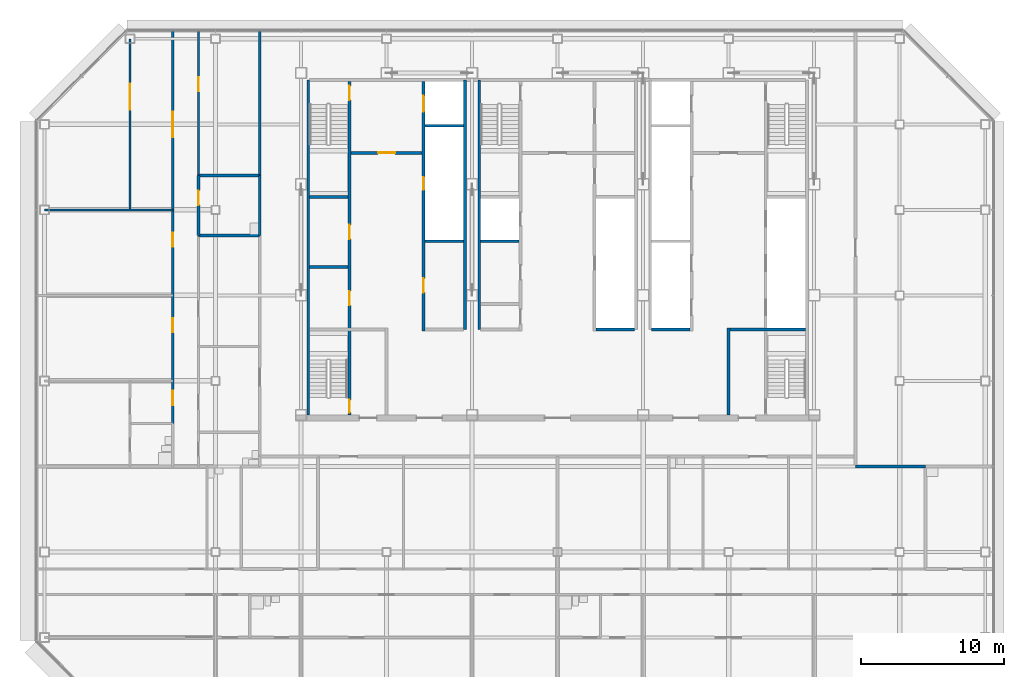
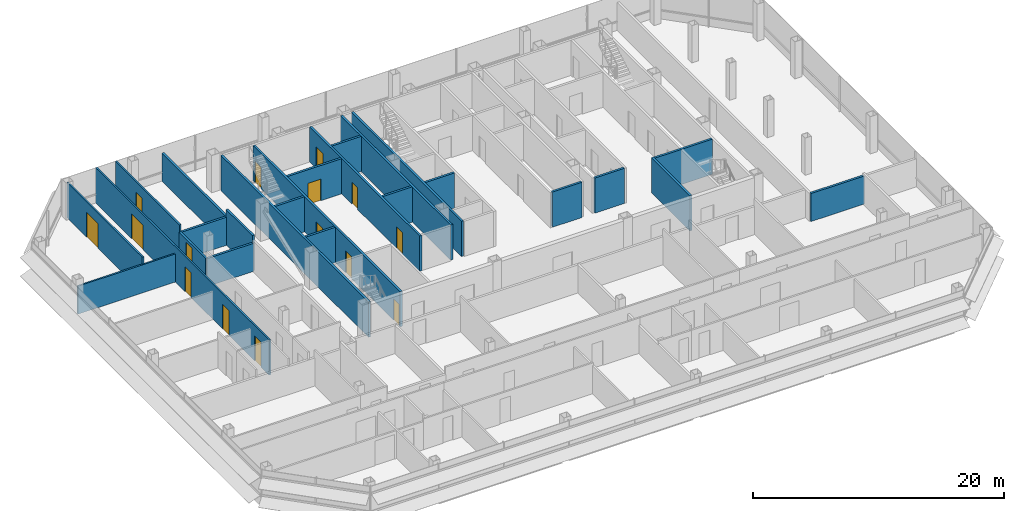
# One storey, part 22 of 26: 25 walls, 15 doors, 15 openings.
"""IFC4 building model written with IfcOpenShell, lengths in metres."""

from ifc_helpers import new_model, si_unit, direction, frame, frame_2d, origin, place, context, subcontext, project, spatial, rectangle, extrude, material, layer, layer_set, type_object, element, fill, save


model = new_model("IFC4")

# Units and contexts
model_context = context("Model", 3, precision=1e-05, world=origin(), true_north=direction((0.0, 1.0)))
body_context = subcontext(model_context, "Body", "Model", "MODEL_VIEW")
ifc_project = project(units=[si_unit("LENGTHUNIT", "METRE"), si_unit("AREAUNIT", "SQUARE_METRE"), si_unit("VOLUMEUNIT", "CUBIC_METRE"), si_unit("PLANEANGLEUNIT", "RADIAN"), si_unit("MASSUNIT", "GRAM", prefix="KILO")], contexts=[model_context])

# Site, building, storey
site_placement = place(None, origin())
site = spatial("IfcSite", under=ifc_project, at=site_placement, CompositionType="ELEMENT")
building_placement = place(site_placement, origin())
building = spatial("IfcBuilding", under=site, at=building_placement, Name="Sorahane Residences", CompositionType="ELEMENT")
storey_placement = place(building_placement, frame((0.0, 0.0, 222.60009765625)))
storey = spatial("IfcBuildingStorey", under=building, at=storey_placement, Name="L52", CompositionType="ELEMENT", Elevation=222.60009765625)

# Walls
ifc_material_1 = material(Name="Concrete C30", Category="concrete")
ifc_layer_1 = layer(ifc_material_1, 0.199951171875)
ifc_layer_set_1 = layer_set([ifc_layer_1], Name="Core face wall 200 EI 180")
wall_type_1 = type_object("IfcWallType", Name="Core face wall 200 EI 180", PredefinedType="SOLIDWALL", material=ifc_layer_set_1)
wall_1_placement = place(storey_placement, frame((6.5, 21.60009765625, 0.0), z_axis=(0.0, 0.0, 1.0), x_axis=(0.0, 1.0, 0.0)))
element("IfcWall", 1, at=wall_1_placement, inside=storey, type_object=wall_type_1, Name="L52 core face wall", PredefinedType="SOLIDWALL", context=body_context, shape_type="SweptSolid", body=[
    extrude(rectangle(XDim=23.5, YDim=0.199951171875, at=frame_2d((11.75, 0.0))), origin(), (0.0, 0.0, 1.0), 3.419921875),
])
for number, where, z_axis, x_axis, name in (
    (2, (17.5, 27.60009765625, 0.0), (0.0, 0.0, 1.0), (0.0, 1.0, 0.0), "L52 core face wall"),
    (3, (18.5, 27.60009765625, 0.0), (0.0, 0.0, 1.0), (0.0, 1.0, 0.0), "L52 core face wall"),
):
    element("IfcWall", number, at=place(storey_placement, frame(where, z_axis=z_axis, x_axis=x_axis)), inside=storey, type_object=wall_type_1, Name=name, PredefinedType="SOLIDWALL", context=body_context, shape_type="SweptSolid", body=[
        extrude(rectangle(XDim=17.5, YDim=0.199951171875, at=frame_2d((8.75, 0.0))), origin(), (0.0, 0.0, 1.0), 3.419921875),
    ])
ifc_material_2 = material(Name="Concrete blockwork C20 wall", Category="masonry")
ifc_layer_2 = layer(ifc_material_2, 0.199951171875)
ifc_layer_set_2 = layer_set([ifc_layer_2], Name="Corridor wall 200 EI 120")
wall_type_2 = type_object("IfcWallType", Name="Corridor wall 200 EI 120", PredefinedType="SOLIDWALL", material=ifc_layer_set_2)
wall_2_placement = place(storey_placement, frame((3.10009765625, 38.39990234375, 0.0), z_axis=(0.0, 0.0, 1.0), x_axis=(0.0, 1.0, 0.0)))
element("IfcWall", 4, at=wall_2_placement, inside=storey, type_object=wall_type_2, Name="L52 corridor wall", PredefinedType="SOLIDWALL", context=body_context, shape_type="SweptSolid", body=[
    extrude(rectangle(XDim=10.2001953125, YDim=0.199951171875, at=frame_2d((5.10009765625, 0.0))), origin(), (0.0, 0.0, 1.0), 2.719970703125),
])
wall_3_placement = place(storey_placement, frame((44.89990234375, 18.0, 0.0), z_axis=(0.0, 0.0, 1.0), x_axis=(1.0, 0.0, 0.0)))
element("IfcWall", 5, at=wall_3_placement, inside=storey, type_object=wall_type_2, Name="L52 corridor wall", PredefinedType="SOLIDWALL", context=body_context, shape_type="SweptSolid", body=[
    extrude(rectangle(XDim=4.900146484375, YDim=0.199951171875, at=frame_2d((2.4501953125, 0.0))), origin(), (0.0, 0.0, 1.0), 2.719970703125),
])
ifc_material_3 = material(Name="Concrete C30", Category="concrete")
ifc_layer_3 = layer(ifc_material_3, 0.199951171875)
ifc_layer_set_3 = layer_set([ifc_layer_3], Name="Front room wall 200 EI 120")
wall_type_3 = type_object("IfcWallType", Name="Front room wall 200 EI 120", PredefinedType="PARTITIONING", material=ifc_layer_set_3)
wall_4_placement = place(storey_placement, frame((36.0, 21.60009765625, 0.0), z_axis=(0.0, 0.0, 1.0), x_axis=(0.0, 1.0, 0.0)))
element("IfcWall", 6, at=wall_4_placement, inside=storey, type_object=wall_type_3, Name="L52 front room wall", PredefinedType="PARTITIONING", context=body_context, shape_type="SweptSolid", body=[
    extrude(rectangle(XDim=6.099853515625, YDim=0.199951171875, at=frame_2d((3.0498046875, 0.0))), origin(), (0.0, 0.0, 1.0), 3.419921875),
])

# Wall, opening, door
wall_5_placement = place(storey_placement, frame((9.5, 40.0, 0.0), z_axis=(0.0, 0.0, 1.0), x_axis=(1.0, 0.0, 0.0)))
wall_5 = element("IfcWall", 7, at=wall_5_placement, inside=storey, type_object=wall_type_3, Name="L52 front room wall", PredefinedType="PARTITIONING", context=body_context, shape_type="SweptSolid", body=[
    extrude(rectangle(XDim=5.0, YDim=0.199951171875, at=frame_2d((2.5, 0.0))), origin(), (0.0, 0.0, 1.0), 3.419921875),
])
opening_1_placement = place(wall_5_placement, frame((1.89990234375, 0.0, 0.0)))
opening_1 = element("IfcOpeningElement", 8, at=opening_1_placement, cuts=wall_5, Name="Opening L52-C06", PredefinedType="OPENING", context=body_context, shape_type="SweptSolid", body=[
    extrude(rectangle(XDim=1.199951171875, YDim=2.10009765625, at=frame_2d((0.60009765625, 1.050048828125))), frame((0.0, 0.10986328125, 0.0), z_axis=(0.0, -1.0, 0.0), x_axis=(1.0, 0.0, 0.0)), (0.0, 0.0, 1.0), 0.219970703125),
])
ifc_material_4 = material(Name="Steel", Category="steel")
door_type_1 = type_object("IfcDoorType", Name="Front room door 1200x2100 FD120", OperationType="NOTDEFINED", PredefinedType="DOOR", material=ifc_material_4)
door_1_placement = place(opening_1_placement, frame((1.199951171875, 0.0, 0.0), z_axis=(0.0, 0.0, 1.0), x_axis=(-1.0, 0.0, 0.0)))
door_1 = element("IfcDoor", 9, at=door_1_placement, inside=storey, type_object=door_type_1, Name="Front room door Firefighting lobby FF1 front room L52", OperationType="DOUBLE_DOOR_SINGLE_SWING", OverallHeight=2.10009765625, OverallWidth=1.199951171875, PredefinedType="DOOR", context=body_context, shape_type="SweptSolid", body=[
    extrude(rectangle(XDim=1.199951171875, YDim=2.10009765625, at=frame_2d((0.60009765625, 1.050048828125))), frame((0.0, 0.02490234375, 0.0), z_axis=(0.0, -1.0, 0.0), x_axis=(1.0, 0.0, 0.0)), (0.0, 0.0, 1.0), 0.050048828125),
])
fill(opening_1, door_1)

ifc_material_5 = material(Name="Concrete blockwork C20 wall", Category="masonry")
ifc_layer_4 = layer(ifc_material_5, 0.199951171875)
ifc_layer_set_4 = layer_set([ifc_layer_4], Name="Kitchen wall 200 EI 180")
wall_type_4 = type_object("IfcWallType", Name="Kitchen wall 200 EI 180", PredefinedType="SOLIDWALL", material=ifc_layer_set_4)
wall_6_placement = place(storey_placement, frame((-1.199951171875, 34.199951171875, 0.0), z_axis=(0.0, 0.0, 1.0), x_axis=(0.0, 1.0, 0.0)))
wall_6 = element("IfcWall", 10, at=wall_6_placement, inside=storey, type_object=wall_type_4, Name="L52 kitchen wall", PredefinedType="SOLIDWALL", context=body_context, shape_type="SweptSolid", body=[
    extrude(rectangle(XDim=4.199951171875, YDim=0.199951171875, at=frame_2d((2.10009765625, 0.0))), origin(), (0.0, 0.0, 1.0), 2.719970703125),
])
opening_2_placement = place(wall_6_placement, frame((2.139892578125, 0.0, 0.0)))
opening_2 = element("IfcOpeningElement", 11, at=opening_2_placement, cuts=wall_6, Name="Opening L52-29", PredefinedType="OPENING", context=body_context, shape_type="SweptSolid", body=[
    extrude(rectangle(XDim=1.0, YDim=2.39990234375, at=frame_2d((0.5, 1.199951171875))), frame((0.0, 0.10986328125, 0.0), z_axis=(0.0, -1.0, 0.0), x_axis=(1.0, 0.0, 0.0)), (0.0, 0.0, 1.0), 0.219970703125),
])
ifc_material_6 = material(Name="Steel", Category="steel")
door_type_2 = type_object("IfcDoorType", Name="Kitchen door 1000x2400 FD120", OperationType="NOTDEFINED", PredefinedType="DOOR", material=ifc_material_6)
door_2_placement = place(opening_2_placement, frame((1.0, 0.0, 0.0), z_axis=(0.0, 0.0, 1.0), x_axis=(-1.0, 0.0, 0.0)))
door_2 = element("IfcDoor", 12, at=door_2_placement, inside=storey, type_object=door_type_2, Name="Kitchen door L52-29", OperationType="SINGLE_SWING_LEFT", OverallHeight=2.39990234375, OverallWidth=1.0, PredefinedType="DOOR", context=body_context, shape_type="SweptSolid", body=[
    extrude(rectangle(XDim=1.0, YDim=2.39990234375, at=frame_2d((0.5, 1.199951171875))), frame((0.0, 0.02490234375, 0.0), z_axis=(0.0, -1.0, 0.0), x_axis=(1.0, 0.0, 0.0)), (0.0, 0.0, 1.0), 0.050048828125),
])
fill(opening_2, door_2)

# Walls
wall_7_placement = place(storey_placement, frame((3.10009765625, 34.199951171875, 0.0), z_axis=(0.0, 0.0, 1.0), x_axis=(0.0, 1.0, 0.0)))
element("IfcWall", 13, at=wall_7_placement, inside=storey, type_object=wall_type_4, Name="L52 kitchen wall", PredefinedType="SOLIDWALL", context=body_context, shape_type="SweptSolid", body=[
    extrude(rectangle(XDim=4.199951171875, YDim=0.199951171875, at=frame_2d((2.10009765625, 0.0))), origin(), (0.0, 0.0, 1.0), 3.419921875),
])
for number, where, z_axis, x_axis, name in (
    (14, (-1.199951171875, 34.199951171875, 0.0), (0.0, 0.0, 1.0), (1.0, 0.0, 0.0), "L52 kitchen wall"),
    (15, (-1.199951171875, 38.39990234375, 0.0), (0.0, 0.0, 1.0), (1.0, 0.0, 0.0), "L52 kitchen wall"),
):
    element("IfcWall", number, at=place(storey_placement, frame(where, z_axis=z_axis, x_axis=x_axis)), inside=storey, type_object=wall_type_4, Name=name, PredefinedType="SOLIDWALL", context=body_context, shape_type="SweptSolid", body=[
        extrude(rectangle(XDim=4.300048828125, YDim=0.199951171875, at=frame_2d((2.14990234375, 0.0))), origin(), (0.0, 0.0, 1.0), 2.719970703125),
    ])

# Wall, openings, doors
ifc_material_7 = material(Name="Concrete C30", Category="concrete")
ifc_layer_5 = layer(ifc_material_7, 0.199951171875)
ifc_layer_set_5 = layer_set([ifc_layer_5], Name="Lift shaft wall 200 EI 120")
wall_type_5 = type_object("IfcWallType", Name="Lift shaft wall 200 EI 120", PredefinedType="SOLIDWALL", material=ifc_layer_set_5)
wall_8_placement = place(storey_placement, frame((14.60009765625, 27.5, 0.0), z_axis=(0.0, 0.0, 1.0), x_axis=(0.0, 1.0, 0.0)))
wall_8 = element("IfcWall", 16, at=wall_8_placement, inside=storey, type_object=wall_type_5, Name="L52 lift shaft wall", PredefinedType="SOLIDWALL", context=body_context, shape_type="SweptSolid", body=[
    extrude(rectangle(XDim=17.5, YDim=0.199951171875, at=frame_2d((8.75, 0.0))), origin(), (0.0, 0.0, 1.0), 3.419921875),
])
opening_3_placement = place(wall_8_placement, frame((15.39990234375, 0.0, 0.0)))
opening_3 = element("IfcOpeningElement", 17, at=opening_3_placement, cuts=wall_8, Name="Opening L52-C15", PredefinedType="OPENING", context=body_context, shape_type="SweptSolid", body=[
    extrude(rectangle(XDim=1.10009765625, YDim=2.10009765625, at=frame_2d((0.550048828125, 1.050048828125))), frame((0.0, 0.10986328125, 0.0), z_axis=(0.0, -1.0, 0.0), x_axis=(1.0, 0.0, 0.0)), (0.0, 0.0, 1.0), 0.219970703125),
])
opening_4_placement = place(wall_8_placement, frame((2.699951171875, 0.0, 0.0)))
opening_4 = element("IfcOpeningElement", 18, at=opening_4_placement, cuts=wall_8, Name="Opening L52-C18", PredefinedType="OPENING", context=body_context, shape_type="SweptSolid", body=[
    extrude(rectangle(XDim=1.0, YDim=2.10009765625, at=frame_2d((0.5, 1.050048828125))), frame((0.0, 0.10986328125, 0.0), z_axis=(0.0, -1.0, 0.0), x_axis=(1.0, 0.0, 0.0)), (0.0, 0.0, 1.0), 0.219970703125),
])
opening_5_placement = place(wall_8_placement, frame((9.89990234375, 0.0, 0.0)))
opening_5 = element("IfcOpeningElement", 19, at=opening_5_placement, cuts=wall_8, Name="Opening L52-C26", PredefinedType="OPENING", context=body_context, shape_type="SweptSolid", body=[
    extrude(rectangle(XDim=0.89990234375, YDim=2.10009765625, at=frame_2d((0.449951171875, 1.050048828125))), frame((0.0, 0.10986328125, 0.0), z_axis=(0.0, -1.0, 0.0), x_axis=(1.0, 0.0, 0.0)), (0.0, 0.0, 1.0), 0.219970703125),
])
ifc_material_8 = material(Name="Aluminium and stainless steel", Category="steel")
door_type_3 = type_object("IfcDoorType", Name="Lift landing door 1100x2100 E 60", OperationType="NOTDEFINED", PredefinedType="DOOR", material=ifc_material_8)
door_3_placement = place(opening_3_placement, origin())
door_3 = element("IfcDoor", 20, at=door_3_placement, inside=storey, type_object=door_type_3, Name="Lift landing door FF1 L52", OperationType="DOUBLE_DOOR_SLIDING", OverallHeight=2.10009765625, OverallWidth=1.10009765625, PredefinedType="DOOR", context=body_context, shape_type="SweptSolid", body=[
    extrude(rectangle(XDim=1.10009765625, YDim=2.10009765625, at=frame_2d((0.550048828125, 1.050048828125))), frame((0.0, 0.02490234375, 0.0), z_axis=(0.0, -1.0, 0.0), x_axis=(1.0, 0.0, 0.0)), (0.0, 0.0, 1.0), 0.050048828125),
])
fill(opening_3, door_3)
ifc_material_9 = material(Name="Steel", Category="steel")
door_type_4 = type_object("IfcDoorType", Name="Riser door 900x2100 FD120", OperationType="NOTDEFINED", PredefinedType="DOOR", material=ifc_material_9)
door_4_placement = place(opening_5_placement, origin())
door_4 = element("IfcDoor", 21, at=door_4_placement, inside=storey, type_object=door_type_4, Name="Riser door R1 L52", OperationType="SINGLE_SWING_LEFT", OverallHeight=2.10009765625, OverallWidth=0.89990234375, PredefinedType="DOOR", context=body_context, shape_type="SweptSolid", body=[
    extrude(rectangle(XDim=0.89990234375, YDim=2.10009765625, at=frame_2d((0.449951171875, 1.050048828125))), frame((0.0, 0.02490234375, 0.0), z_axis=(0.0, -1.0, 0.0), x_axis=(1.0, 0.0, 0.0)), (0.0, 0.0, 1.0), 0.050048828125),
])
fill(opening_5, door_4)
ifc_material_10 = material(Name="Steel", Category="steel")
door_type_5 = type_object("IfcDoorType", Name="Service room door 1000x2100 FD60", OperationType="NOTDEFINED", PredefinedType="DOOR", material=ifc_material_10)
door_5_placement = place(opening_4_placement, frame((1.0, 0.0, 0.0), z_axis=(0.0, 0.0, 1.0), x_axis=(-1.0, 0.0, 0.0)))
door_5 = element("IfcDoor", 22, at=door_5_placement, inside=storey, type_object=door_type_5, Name="Service room door Library L52", OperationType="SINGLE_SWING_RIGHT", OverallHeight=2.10009765625, OverallWidth=1.0, PredefinedType="DOOR", context=body_context, shape_type="SweptSolid", body=[
    extrude(rectangle(XDim=1.0, YDim=2.10009765625, at=frame_2d((0.5, 1.050048828125))), frame((0.0, 0.02490234375, 0.0), z_axis=(0.0, -1.0, 0.0), x_axis=(1.0, 0.0, 0.0)), (0.0, 0.0, 1.0), 0.050048828125),
])
fill(opening_4, door_5)

# Walls
for number, where, z_axis, x_axis, name in (
    (23, (30.60009765625, 27.60009765625, 0.0), (0.0, 0.0, 1.0), (1.0, 0.0, 0.0), "L52 lift shaft wall"),
    (24, (14.699951171875, 41.89990234375, 0.0), (0.0, 0.0, 1.0), (1.0, 0.0, 0.0), "L52 lift shaft wall"),
):
    element("IfcWall", number, at=place(storey_placement, frame(where, z_axis=z_axis, x_axis=x_axis)), inside=storey, type_object=wall_type_5, Name=name, PredefinedType="SOLIDWALL", context=body_context, shape_type="SweptSolid", body=[
        extrude(rectangle(XDim=2.699951171875, YDim=0.199951171875, at=frame_2d((1.35009765625, 0.0))), origin(), (0.0, 0.0, 1.0), 3.419921875),
    ])

# Wall, opening, door
ifc_material_11 = material(Name="Gypsum board partition on steel studs", Category="steel")
ifc_layer_6 = layer(ifc_material_11, 0.14990234375)
ifc_layer_set_6 = layer_set([ifc_layer_6], Name="Partition 150 EI 90")
wall_type_6 = type_object("IfcWallType", Name="Partition 150 EI 90", PredefinedType="PARTITIONING", material=ifc_layer_set_6)
wall_9_placement = place(storey_placement, frame((-1.199951171875, 38.39990234375, 0.0), z_axis=(0.0, 0.0, 1.0), x_axis=(0.0, 1.0, 0.0)))
wall_9 = element("IfcWall", 25, at=wall_9_placement, inside=storey, type_object=wall_type_6, Name="L52 partition", PredefinedType="PARTITIONING", context=body_context, shape_type="SweptSolid", body=[
    extrude(rectangle(XDim=10.2001953125, YDim=0.14990234375, at=frame_2d((5.10009765625, 0.0))), origin(), (0.0, 0.0, 1.0), 3.419921875),
])
opening_6_placement = place(wall_9_placement, frame((5.919921875, 0.0, 0.0)))
opening_6 = element("IfcOpeningElement", 26, at=opening_6_placement, cuts=wall_9, Name="Opening L52-30", PredefinedType="OPENING", context=body_context, shape_type="SweptSolid", body=[
    extrude(rectangle(XDim=1.0, YDim=2.39990234375, at=frame_2d((0.5, 1.199951171875))), frame((0.0, 0.0849609375, 0.0), z_axis=(0.0, -1.0, 0.0), x_axis=(1.0, 0.0, 0.0)), (0.0, 0.0, 1.0), 0.169921875),
])
ifc_material_12 = material(Name="Timber veneered fire door", Category="wood")
door_type_6 = type_object("IfcDoorType", Name="Room door 1000x2400 FD30", OperationType="NOTDEFINED", PredefinedType="DOOR", material=ifc_material_12)
door_6_placement = place(opening_6_placement, frame((1.0, 0.0, 0.0), z_axis=(0.0, 0.0, 1.0), x_axis=(-1.0, 0.0, 0.0)))
door_6 = element("IfcDoor", 27, at=door_6_placement, inside=storey, type_object=door_type_6, Name="Room door L52-30", OperationType="SINGLE_SWING_LEFT", OverallHeight=2.39990234375, OverallWidth=1.0, PredefinedType="DOOR", context=body_context, shape_type="SweptSolid", body=[
    extrude(rectangle(XDim=1.0, YDim=2.39990234375, at=frame_2d((0.5, 1.199951171875))), frame((0.0, 0.02490234375, 0.0), z_axis=(0.0, -1.0, 0.0), x_axis=(1.0, 0.0, 0.0)), (0.0, 0.0, 1.0), 0.050048828125),
])
fill(opening_6, door_6)

# Wall, openings, doors
wall_10_placement = place(storey_placement, frame((-3.0, 21.0, 0.0), z_axis=(0.0, 0.0, 1.0), x_axis=(0.0, 1.0, 0.0)))
wall_10 = element("IfcWall", 28, at=wall_10_placement, inside=storey, type_object=wall_type_6, Name="L52 partition", PredefinedType="PARTITIONING", context=body_context, shape_type="SweptSolid", body=[
    extrude(rectangle(XDim=27.60009765625, YDim=0.14990234375, at=frame_2d((13.800048828125, 0.0))), origin(), (0.0, 0.0, 1.0), 3.419921875),
])
opening_7_placement = place(wall_10_placement, frame((1.300048828125, 0.0, 0.0)))
opening_7 = element("IfcOpeningElement", 29, at=opening_7_placement, cuts=wall_10, Name="Opening L52-31", PredefinedType="OPENING", context=body_context, shape_type="SweptSolid", body=[
    extrude(rectangle(XDim=1.0, YDim=2.39990234375, at=frame_2d((0.5, 1.199951171875))), frame((0.0, 0.0849609375, 0.0), z_axis=(0.0, -1.0, 0.0), x_axis=(1.0, 0.0, 0.0)), (0.0, 0.0, 1.0), 0.169921875),
])
opening_8_placement = place(wall_10_placement, frame((6.39990234375, 0.0, 0.0)))
opening_8 = element("IfcOpeningElement", 30, at=opening_8_placement, cuts=wall_10, Name="Opening L52-32", PredefinedType="OPENING", context=body_context, shape_type="SweptSolid", body=[
    extrude(rectangle(XDim=1.0, YDim=2.39990234375, at=frame_2d((0.5, 1.199951171875))), frame((0.0, 0.0849609375, 0.0), z_axis=(0.0, -1.0, 0.0), x_axis=(1.0, 0.0, 0.0)), (0.0, 0.0, 1.0), 0.169921875),
])
opening_9_placement = place(wall_10_placement, frame((12.39990234375, 0.0, 0.0)))
opening_9 = element("IfcOpeningElement", 31, at=opening_9_placement, cuts=wall_10, Name="Opening L52-33", PredefinedType="OPENING", context=body_context, shape_type="SweptSolid", body=[
    extrude(rectangle(XDim=1.0, YDim=2.39990234375, at=frame_2d((0.5, 1.199951171875))), frame((0.0, 0.0849609375, 0.0), z_axis=(0.0, -1.0, 0.0), x_axis=(1.0, 0.0, 0.0)), (0.0, 0.0, 1.0), 0.169921875),
])
opening_10_placement = place(wall_10_placement, frame((20.10009765625, 0.0, 0.0)))
opening_10 = element("IfcOpeningElement", 32, at=opening_10_placement, cuts=wall_10, Name="Opening L52-34", PredefinedType="OPENING", context=body_context, shape_type="SweptSolid", body=[
    extrude(rectangle(XDim=1.800048828125, YDim=2.39990234375, at=frame_2d((0.89990234375, 1.199951171875))), frame((0.0, 0.0849609375, 0.0), z_axis=(0.0, -1.0, 0.0), x_axis=(1.0, 0.0, 0.0)), (0.0, 0.0, 1.0), 0.169921875),
])
ifc_material_13 = material(Name="Timber veneered fire door", Category="wood")
door_type_7 = type_object("IfcDoorType", Name="Double door 1800x2400 FD30", OperationType="NOTDEFINED", PredefinedType="DOOR", material=ifc_material_13)
door_7_placement = place(opening_10_placement, origin())
door_7 = element("IfcDoor", 33, at=door_7_placement, inside=storey, type_object=door_type_7, Name="Double door L52-34", OperationType="SINGLE_SWING_RIGHT", OverallHeight=2.39990234375, OverallWidth=1.800048828125, PredefinedType="DOOR", context=body_context, shape_type="SweptSolid", body=[
    extrude(rectangle(XDim=1.800048828125, YDim=2.39990234375, at=frame_2d((0.89990234375, 1.199951171875))), frame((0.0, 0.02490234375, 0.0), z_axis=(0.0, -1.0, 0.0), x_axis=(1.0, 0.0, 0.0)), (0.0, 0.0, 1.0), 0.050048828125),
])
fill(opening_10, door_7)
door_8_placement = place(opening_7_placement, origin())
door_8 = element("IfcDoor", 34, at=door_8_placement, inside=storey, type_object=door_type_6, Name="Room door L52-31", OperationType="SINGLE_SWING_RIGHT", OverallHeight=2.39990234375, OverallWidth=1.0, PredefinedType="DOOR", context=body_context, shape_type="SweptSolid", body=[
    extrude(rectangle(XDim=1.0, YDim=2.39990234375, at=frame_2d((0.5, 1.199951171875))), frame((0.0, 0.02490234375, 0.0), z_axis=(0.0, -1.0, 0.0), x_axis=(1.0, 0.0, 0.0)), (0.0, 0.0, 1.0), 0.050048828125),
])
fill(opening_7, door_8)
door_9_placement = place(opening_8_placement, origin())
door_9 = element("IfcDoor", 35, at=door_9_placement, inside=storey, type_object=door_type_6, Name="Room door L52-32", OperationType="SINGLE_SWING_RIGHT", OverallHeight=2.39990234375, OverallWidth=1.0, PredefinedType="DOOR", context=body_context, shape_type="SweptSolid", body=[
    extrude(rectangle(XDim=1.0, YDim=2.39990234375, at=frame_2d((0.5, 1.199951171875))), frame((0.0, 0.02490234375, 0.0), z_axis=(0.0, -1.0, 0.0), x_axis=(1.0, 0.0, 0.0)), (0.0, 0.0, 1.0), 0.050048828125),
])
fill(opening_8, door_9)
door_10_placement = place(opening_9_placement, origin())
door_10 = element("IfcDoor", 36, at=door_10_placement, inside=storey, type_object=door_type_6, Name="Room door L52-33", OperationType="SINGLE_SWING_LEFT", OverallHeight=2.39990234375, OverallWidth=1.0, PredefinedType="DOOR", context=body_context, shape_type="SweptSolid", body=[
    extrude(rectangle(XDim=1.0, YDim=2.39990234375, at=frame_2d((0.5, 1.199951171875))), frame((0.0, 0.02490234375, 0.0), z_axis=(0.0, -1.0, 0.0), x_axis=(1.0, 0.0, 0.0)), (0.0, 0.0, 1.0), 0.050048828125),
])
fill(opening_9, door_10)

# Wall, opening, door
wall_11_placement = place(storey_placement, frame((-6.0, 36.0, 0.0), z_axis=(0.0, 0.0, 1.0), x_axis=(0.0, 1.0, 0.0)))
wall_11 = element("IfcWall", 37, at=wall_11_placement, inside=storey, type_object=wall_type_6, Name="L52 partition", PredefinedType="PARTITIONING", context=body_context, shape_type="SweptSolid", body=[
    extrude(rectangle(XDim=12.0, YDim=0.14990234375, at=frame_2d((6.0, 0.0))), origin(), (0.0, 0.0, 1.0), 3.419921875),
])
opening_11_placement = place(wall_11_placement, frame((7.0400390625, 0.0, 0.0)))
opening_11 = element("IfcOpeningElement", 38, at=opening_11_placement, cuts=wall_11, Name="Opening L52-37", PredefinedType="OPENING", context=body_context, shape_type="SweptSolid", body=[
    extrude(rectangle(XDim=1.800048828125, YDim=2.39990234375, at=frame_2d((0.89990234375, 1.199951171875))), frame((0.0, 0.0849609375, 0.0), z_axis=(0.0, -1.0, 0.0), x_axis=(1.0, 0.0, 0.0)), (0.0, 0.0, 1.0), 0.169921875),
])
door_11_placement = place(opening_11_placement, origin())
door_11 = element("IfcDoor", 39, at=door_11_placement, inside=storey, type_object=door_type_7, Name="Double door L52-37", OperationType="SINGLE_SWING_RIGHT", OverallHeight=2.39990234375, OverallWidth=1.800048828125, PredefinedType="DOOR", context=body_context, shape_type="SweptSolid", body=[
    extrude(rectangle(XDim=1.800048828125, YDim=2.39990234375, at=frame_2d((0.89990234375, 1.199951171875))), frame((0.0, 0.02490234375, 0.0), z_axis=(0.0, -1.0, 0.0), x_axis=(1.0, 0.0, 0.0)), (0.0, 0.0, 1.0), 0.050048828125),
])
fill(opening_11, door_11)

# Walls
wall_12_placement = place(storey_placement, frame((-12.0, 36.0, 0.0), z_axis=(0.0, 0.0, 1.0), x_axis=(1.0, 0.0, 0.0)))
element("IfcWall", 40, at=wall_12_placement, inside=storey, type_object=wall_type_6, Name="L52 partition", PredefinedType="PARTITIONING", context=body_context, shape_type="SweptSolid", body=[
    extrude(rectangle(XDim=9.0, YDim=0.14990234375, at=frame_2d((4.5, 0.0))), origin(), (0.0, 0.0, 1.0), 2.719970703125),
])
ifc_material_14 = material(Name="Concrete C30", Category="concrete")
ifc_layer_7 = layer(ifc_material_14, 0.199951171875)
ifc_layer_set_7 = layer_set([ifc_layer_7], Name="Riser shaft wall 200 EI 120")
wall_type_7 = type_object("IfcWallType", Name="Riser shaft wall 200 EI 120", PredefinedType="SOLIDWALL", material=ifc_layer_set_7)
for number, where, z_axis, x_axis, name in (
    (41, (26.699951171875, 27.60009765625, 0.0), (0.0, 0.0, 1.0), (1.0, 0.0, 0.0), "L52 riser wall"),
    (42, (14.699951171875, 33.800048828125, 0.0), (0.0, 0.0, 1.0), (1.0, 0.0, 0.0), "L52 riser wall"),
    (43, (18.60009765625, 33.800048828125, 0.0), (0.0, 0.0, 1.0), (1.0, 0.0, 0.0), "L52 riser wall"),
):
    element("IfcWall", number, at=place(storey_placement, frame(where, z_axis=z_axis, x_axis=x_axis)), inside=storey, type_object=wall_type_7, Name=name, PredefinedType="SOLIDWALL", context=body_context, shape_type="SweptSolid", body=[
        extrude(rectangle(XDim=2.699951171875, YDim=0.199951171875, at=frame_2d((1.35009765625, 0.0))), origin(), (0.0, 0.0, 1.0), 3.419921875),
    ])
ifc_material_15 = material(Name="Concrete C30", Category="concrete")
ifc_layer_8 = layer(ifc_material_15, 0.199951171875)
ifc_layer_set_8 = layer_set([ifc_layer_8], Name="Service room partition 200 EI 60")
wall_type_8 = type_object("IfcWallType", Name="Service room partition 200 EI 60", PredefinedType="PARTITIONING", material=ifc_layer_set_8)
wall_13_placement = place(storey_placement, frame((6.60009765625, 32.0, 0.0), z_axis=(0.0, 0.0, 1.0), x_axis=(1.0, 0.0, 0.0)))
element("IfcWall", 44, at=wall_13_placement, inside=storey, type_object=wall_type_8, Name="L52 service room wall", PredefinedType="PARTITIONING", context=body_context, shape_type="SweptSolid", body=[
    extrude(rectangle(XDim=2.699951171875, YDim=0.199951171875, at=frame_2d((1.35009765625, 0.0))), origin(), (0.0, 0.0, 1.0), 3.419921875),
])

# Wall, openings, doors
ifc_material_16 = material(Name="Concrete C30", Category="concrete")
ifc_layer_9 = layer(ifc_material_16, 0.199951171875)
ifc_layer_set_9 = layer_set([ifc_layer_9], Name="Stair enclosure wall 200 EI 120")
wall_type_9 = type_object("IfcWallType", Name="Stair enclosure wall 200 EI 120", PredefinedType="SOLIDWALL", material=ifc_layer_set_9)
wall_14_placement = place(storey_placement, frame((9.39990234375, 21.60009765625, 0.0), z_axis=(0.0, 0.0, 1.0), x_axis=(0.0, 1.0, 0.0)))
wall_14 = element("IfcWall", 45, at=wall_14_placement, inside=storey, type_object=wall_type_9, Name="L52 stair enclosure wall", PredefinedType="SOLIDWALL", context=body_context, shape_type="SweptSolid", body=[
    extrude(rectangle(XDim=23.39990234375, YDim=0.199951171875, at=frame_2d((11.699951171875, 0.0))), origin(), (0.0, 0.0, 1.0), 3.419921875),
])
opening_12_placement = place(wall_14_placement, frame((7.699951171875, 0.0, 0.0)))
opening_12 = element("IfcOpeningElement", 46, at=opening_12_placement, cuts=wall_14, Name="Opening L52-C19", PredefinedType="OPENING", context=body_context, shape_type="SweptSolid", body=[
    extrude(rectangle(XDim=1.0, YDim=2.10009765625, at=frame_2d((0.5, 1.050048828125))), frame((0.0, 0.10986328125, 0.0), z_axis=(0.0, -1.0, 0.0), x_axis=(1.0, 0.0, 0.0)), (0.0, 0.0, 1.0), 0.219970703125),
])
opening_13_placement = place(wall_14_placement, frame((12.35009765625, 0.0, 0.0)))
opening_13 = element("IfcOpeningElement", 47, at=opening_13_placement, cuts=wall_14, Name="Opening L52-C20", PredefinedType="OPENING", context=body_context, shape_type="SweptSolid", body=[
    extrude(rectangle(XDim=1.0, YDim=2.10009765625, at=frame_2d((0.5, 1.050048828125))), frame((0.0, 0.10986328125, 0.0), z_axis=(0.0, -1.0, 0.0), x_axis=(1.0, 0.0, 0.0)), (0.0, 0.0, 1.0), 0.219970703125),
])
opening_14_placement = place(wall_14_placement, frame((22.10009765625, 0.0, 0.0)))
opening_14 = element("IfcOpeningElement", 48, at=opening_14_placement, cuts=wall_14, Name="Opening L52-C21", PredefinedType="OPENING", context=body_context, shape_type="SweptSolid", body=[
    extrude(rectangle(XDim=1.0, YDim=2.10009765625, at=frame_2d((0.5, 1.050048828125))), frame((0.0, 0.10986328125, 0.0), z_axis=(0.0, -1.0, 0.0), x_axis=(1.0, 0.0, 0.0)), (0.0, 0.0, 1.0), 0.219970703125),
])
opening_15_placement = place(wall_14_placement, frame((0.175048828125, 0.0, 0.0)))
opening_15 = element("IfcOpeningElement", 49, at=opening_15_placement, cuts=wall_14, Name="Opening L52-C24", PredefinedType="OPENING", context=body_context, shape_type="SweptSolid", body=[
    extrude(rectangle(XDim=0.89990234375, YDim=2.10009765625, at=frame_2d((0.449951171875, 1.050048828125))), frame((0.0, 0.10986328125, 0.0), z_axis=(0.0, -1.0, 0.0), x_axis=(1.0, 0.0, 0.0)), (0.0, 0.0, 1.0), 0.219970703125),
])
door_12_placement = place(opening_12_placement, origin())
door_12 = element("IfcDoor", 50, at=door_12_placement, inside=storey, type_object=door_type_5, Name="Service room door Reading room L52", OperationType="SINGLE_SWING_LEFT", OverallHeight=2.10009765625, OverallWidth=1.0, PredefinedType="DOOR", context=body_context, shape_type="SweptSolid", body=[
    extrude(rectangle(XDim=1.0, YDim=2.10009765625, at=frame_2d((0.5, 1.050048828125))), frame((0.0, 0.02490234375, 0.0), z_axis=(0.0, -1.0, 0.0), x_axis=(1.0, 0.0, 0.0)), (0.0, 0.0, 1.0), 0.050048828125),
])
fill(opening_12, door_12)
door_13_placement = place(opening_13_placement, origin())
door_13 = element("IfcDoor", 51, at=door_13_placement, inside=storey, type_object=door_type_5, Name="Service room door Tea room L52", OperationType="SINGLE_SWING_LEFT", OverallHeight=2.10009765625, OverallWidth=1.0, PredefinedType="DOOR", context=body_context, shape_type="SweptSolid", body=[
    extrude(rectangle(XDim=1.0, YDim=2.10009765625, at=frame_2d((0.5, 1.050048828125))), frame((0.0, 0.02490234375, 0.0), z_axis=(0.0, -1.0, 0.0), x_axis=(1.0, 0.0, 0.0)), (0.0, 0.0, 1.0), 0.050048828125),
])
fill(opening_13, door_13)
ifc_material_17 = material(Name="Steel", Category="steel")
door_type_8 = type_object("IfcDoorType", Name="Stair door 1000x2100 FD120", OperationType="NOTDEFINED", PredefinedType="DOOR", material=ifc_material_17)
door_14_placement = place(opening_14_placement, origin())
door_14 = element("IfcDoor", 52, at=door_14_placement, inside=storey, type_object=door_type_8, Name="Stair door S1 L52", OperationType="SINGLE_SWING_LEFT", OverallHeight=2.10009765625, OverallWidth=1.0, PredefinedType="DOOR", context=body_context, shape_type="SweptSolid", body=[
    extrude(rectangle(XDim=1.0, YDim=2.10009765625, at=frame_2d((0.5, 1.050048828125))), frame((0.0, 0.02490234375, 0.0), z_axis=(0.0, -1.0, 0.0), x_axis=(1.0, 0.0, 0.0)), (0.0, 0.0, 1.0), 0.050048828125),
])
fill(opening_14, door_14)
ifc_material_18 = material(Name="Steel", Category="steel")
door_type_9 = type_object("IfcDoorType", Name="Stair door 900x2100 FD120", OperationType="NOTDEFINED", PredefinedType="DOOR", material=ifc_material_18)
door_15_placement = place(opening_15_placement, origin())
door_15 = element("IfcDoor", 53, at=door_15_placement, inside=storey, type_object=door_type_9, Name="Stair door S4 L52", OperationType="SINGLE_SWING_LEFT", OverallHeight=2.10009765625, OverallWidth=0.89990234375, PredefinedType="DOOR", context=body_context, shape_type="SweptSolid", body=[
    extrude(rectangle(XDim=0.89990234375, YDim=2.10009765625, at=frame_2d((0.449951171875, 1.050048828125))), frame((0.0, 0.02490234375, 0.0), z_axis=(0.0, -1.0, 0.0), x_axis=(1.0, 0.0, 0.0)), (0.0, 0.0, 1.0), 0.050048828125),
])
fill(opening_15, door_15)

# Walls
wall_15_placement = place(storey_placement, frame((36.10009765625, 27.60009765625, 0.0), z_axis=(0.0, 0.0, 1.0), x_axis=(1.0, 0.0, 0.0)))
element("IfcWall", 54, at=wall_15_placement, inside=storey, type_object=wall_type_9, Name="L52 stair enclosure wall", PredefinedType="SOLIDWALL", context=body_context, shape_type="SweptSolid", body=[
    extrude(rectangle(XDim=5.2998046875, YDim=0.199951171875, at=frame_2d((2.64990234375, 0.0))), origin(), (0.0, 0.0, 1.0), 3.419921875),
])
wall_16_placement = place(storey_placement, frame((6.60009765625, 36.89990234375, 0.0), z_axis=(0.0, 0.0, 1.0), x_axis=(1.0, 0.0, 0.0)))
element("IfcWall", 55, at=wall_16_placement, inside=storey, type_object=wall_type_9, Name="L52 stair enclosure wall", PredefinedType="SOLIDWALL", context=body_context, shape_type="SweptSolid", body=[
    extrude(rectangle(XDim=2.699951171875, YDim=0.199951171875, at=frame_2d((1.35009765625, 0.0))), origin(), (0.0, 0.0, 1.0), 3.419921875),
])

save(model, "model.ifc")
